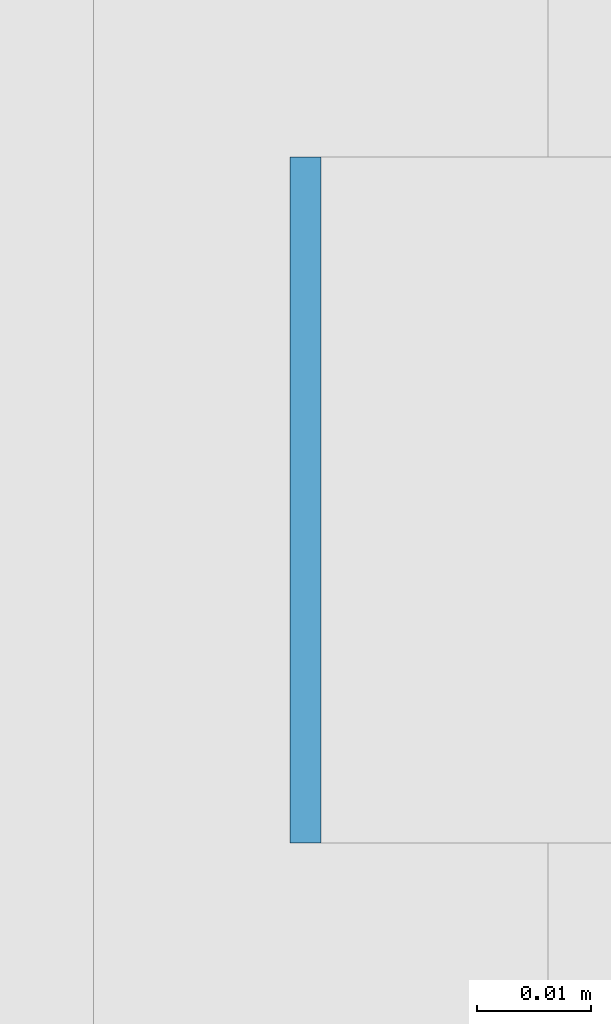
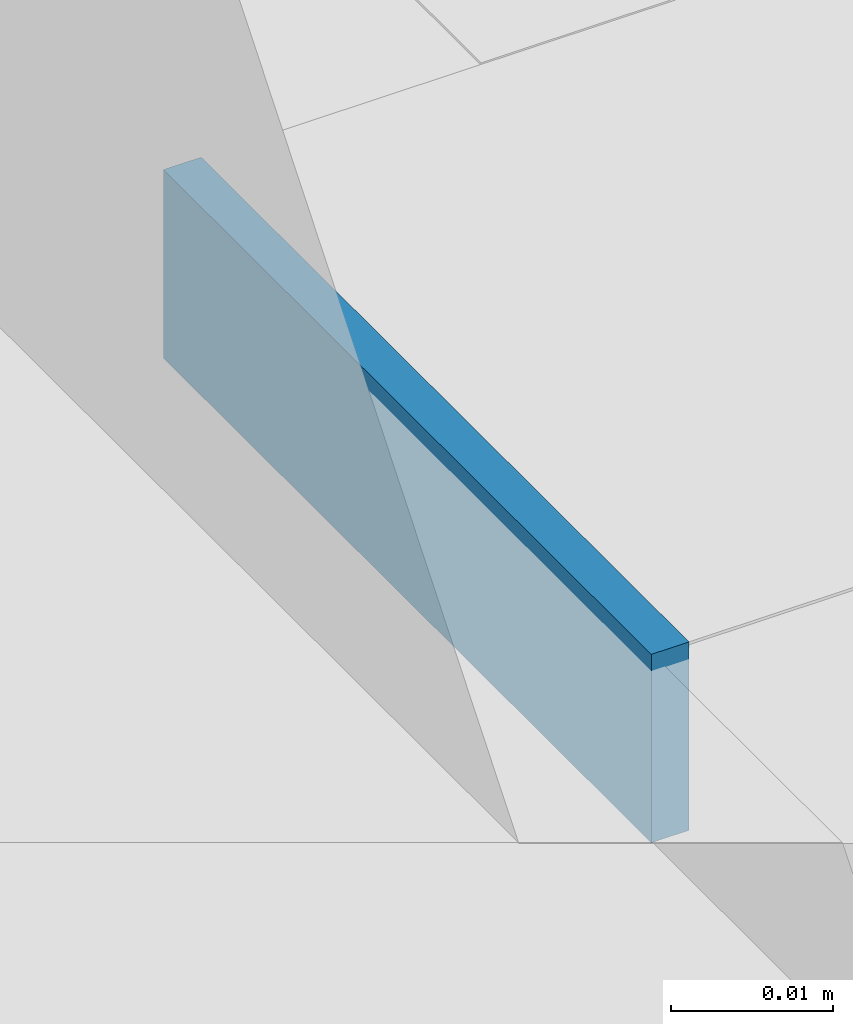
# One storey, part 615 of 646: 1 discrete accessory.
"""IFC4 building model written with IfcOpenShell, lengths in metres."""

from ifc_helpers import new_model, si_unit, direction, frame, origin, origin_2d, place, context, subcontext, project, spatial, rectangle, extrude, material, type_object, element, save


model = new_model("IFC4")

# Units and contexts
model_context = context("Model", 3, precision=1e-05, world=origin(), true_north=direction((0.0, 1.0)))
body_context = subcontext(model_context, "Body", "Model", "MODEL_VIEW")
ifc_project = project(units=[si_unit("LENGTHUNIT", "METRE"), si_unit("AREAUNIT", "SQUARE_METRE"), si_unit("VOLUMEUNIT", "CUBIC_METRE"), si_unit("PLANEANGLEUNIT", "RADIAN"), si_unit("MASSUNIT", "GRAM", prefix="KILO")], contexts=[model_context])

# Site, building, storey
site_placement = place(None, origin())
site = spatial("IfcSite", under=ifc_project, at=site_placement, CompositionType="ELEMENT")
building_placement = place(site_placement, origin())
building = spatial("IfcBuilding", under=site, at=building_placement, Name="Silverbay Arena", CompositionType="ELEMENT")
storey_placement = place(building_placement, frame((0.0, 0.0, 33.5)))
storey = spatial("IfcBuildingStorey", under=building, at=storey_placement, Name="L05", CompositionType="ELEMENT", Elevation=33.5)

# Discrete accessory
ifc_material = material(Name="Steel S355", Category="steel")
discrete_accessory_type = type_object("IfcDiscreteAccessoryType", Name="Steel bracket plate", PredefinedType="BRACKET", material=ifc_material)
discrete_accessory_placement = place(storey_placement, frame((207.128662109375, 133.166748046875, 12.98583984375), z_axis=(0.0, 0.0, 1.0), x_axis=(1.0, 0.0, 0.0)))
element("IfcDiscreteAccessory", 1, at=discrete_accessory_placement, inside=storey, type_object=discrete_accessory_type, Name="Curtain wall packing plate", PredefinedType="BRACKET", context=body_context, shape_type="SweptSolid", body=[
    extrude(rectangle(XDim=0.002685546875, YDim=0.06005859375, at=origin_2d()), origin(), (0.0, 0.0, 1.0), 0.01416015625),
])

save(model, "model.ifc")
